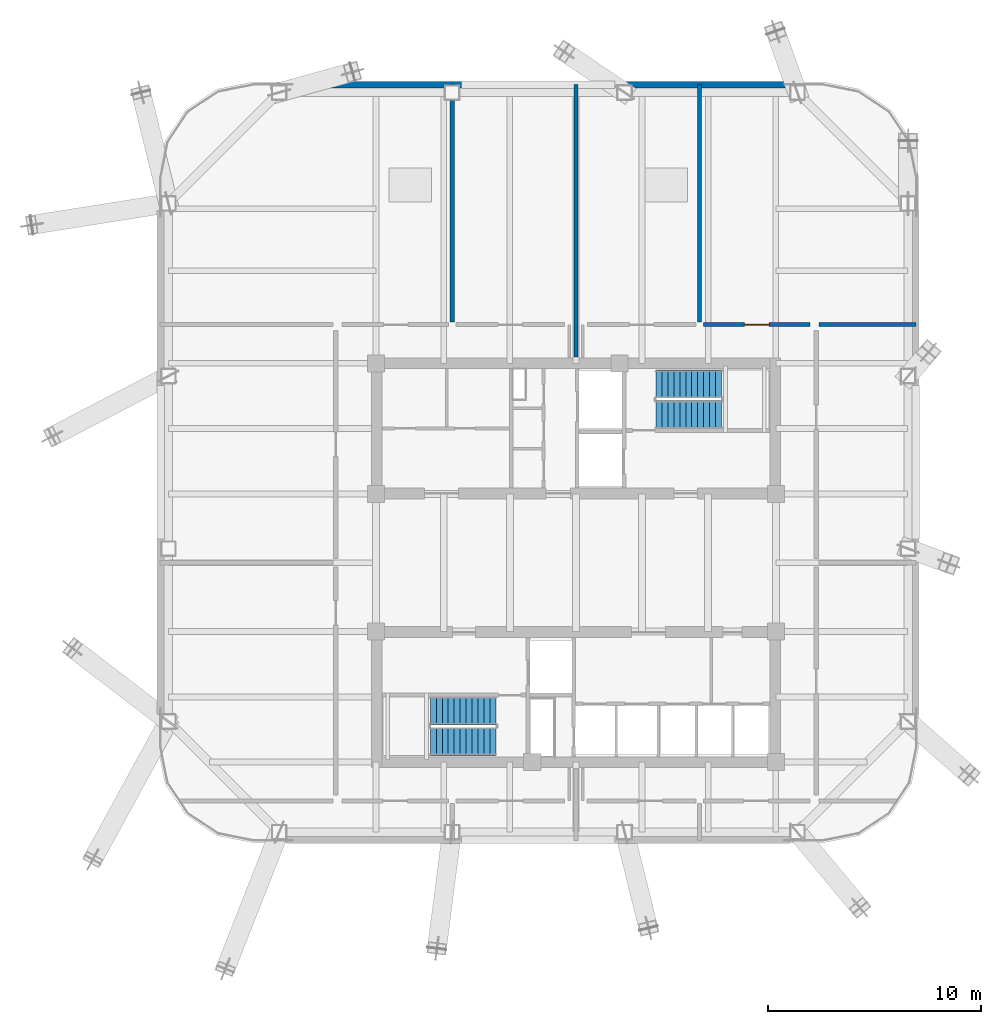
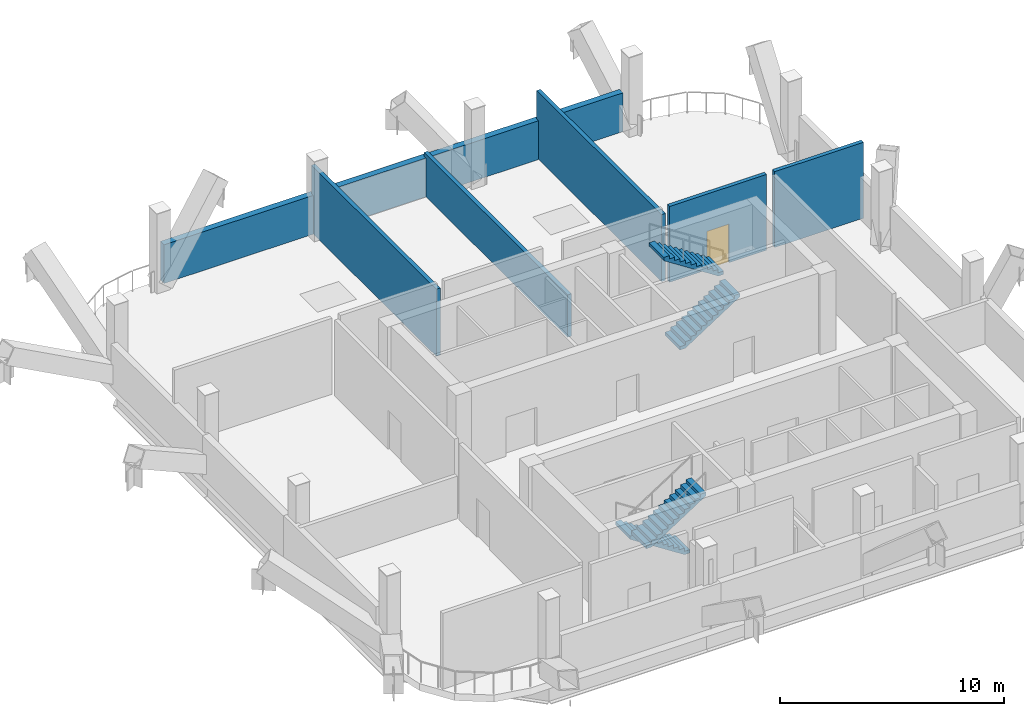
# One storey, part 5 of 8: 6 walls, 4 stair flights, 1 door, 1 opening, 2 elements without a shape of their own.
"""IFC4 building model written with IfcOpenShell, lengths in metres."""

import ifcopenshell
import ifcopenshell.guid

model = None  # the IFC model being written
_history = None  # IfcOwnerHistory: only IFC2X3 demands one
_inside = {}  # id of a spatial element -> (the spatial element, [elements in it])
_under = {}  # id of a project, library or spatial element -> (it, [spatial elements below it])
_declared = {}  # id of a project -> (the project, [libraries it declares])
_typed = {}  # id of a type object -> (the type object, [elements of that type])
_made_of = {}  # id of a material, layer set ... -> (it, [elements and type objects made of it])


def new_model(schema):
    """Start an empty IFC model of exactly this schema.

    Asked for "IFC4X3", IfcOpenShell would pick the latest addendum, in which some entities
    have other attributes; the version numbers below select the first issue.
    IFC2X3 requires an IfcOwnerHistory on every rooted entity: one is made here for all.
    """
    global model, _history
    if schema == "IFC4X3":
        model = ifcopenshell.file(schema_version=(4, 3, 0, 0))
    else:
        model = ifcopenshell.file(schema=schema)
    _inside.clear()
    _under.clear()
    _declared.clear()
    _typed.clear()
    _made_of.clear()
    _history = None
    if model.schema == "IFC2X3":
        org = make("IfcOrganization", Name="unknown")
        user = make(
            "IfcPersonAndOrganization",
            ThePerson=make("IfcPerson", FamilyName="unknown"),
            TheOrganization=org,
        )
        app = make(
            "IfcApplication",
            ApplicationDeveloper=org,
            Version="unknown",
            ApplicationFullName="unknown",
            ApplicationIdentifier="unknown",
        )
        _history = make(
            "IfcOwnerHistory",
            OwningUser=user,
            OwningApplication=app,
            ChangeAction="ADDED",
            CreationDate=0,
        )
    return model


def make(cls, **values):
    """One entity of the class cls with the attributes given. An attribute that is None is left unset."""
    return model.create_entity(
        cls, **{name: value for name, value in values.items() if value is not None}
    )


def rooted(cls, **values):
    """An entity with a GlobalId (a new one), such as an element, a storey or a relation."""
    return make(cls, GlobalId=ifcopenshell.guid.new(), OwnerHistory=_history, **values)


def si_unit(unit_type, name, prefix=None):
    """IfcSIUnit, for example si_unit("LENGTHUNIT", "METRE", prefix="MILLI")."""
    return make("IfcSIUnit", UnitType=unit_type, Prefix=prefix, Name=name)


def assignment(units):
    """IfcUnitAssignment: the units of a project."""
    return None if units is None else make("IfcUnitAssignment", Units=units)


def point(xyz):
    """IfcCartesianPoint."""
    return None if xyz is None else make("IfcCartesianPoint", Coordinates=xyz)


def direction(xyz):
    """IfcDirection."""
    return None if xyz is None else make("IfcDirection", DirectionRatios=xyz)


def frame(location, z_axis=None, x_axis=None):
    """IfcAxis2Placement3D, a coordinate frame: its origin and axes. An axis left out is left unset."""
    return make(
        "IfcAxis2Placement3D",
        Location=point(location),
        Axis=direction(z_axis),
        RefDirection=direction(x_axis),
    )


def frame_2d(location, x_axis=None):
    """IfcAxis2Placement2D, a coordinate frame in the plane: its origin and x axis."""
    return make(
        "IfcAxis2Placement2D", Location=point(location), RefDirection=direction(x_axis)
    )


def origin():
    """The frame at (0, 0, 0) with its axes left unset."""
    return frame((0.0, 0.0, 0.0))


def place(relative_to, where):
    """IfcLocalPlacement: puts the frame where relative to a parent placement (None: the world)."""
    return make(
        "IfcLocalPlacement", PlacementRelTo=relative_to, RelativePlacement=where
    )


def context(
    kind, dimensions, precision=None, world=None, true_north=None, identifier=None
):
    """IfcGeometricRepresentationContext, for example the 3D "Model" context."""
    return make(
        "IfcGeometricRepresentationContext",
        ContextIdentifier=identifier,
        ContextType=kind,
        CoordinateSpaceDimension=dimensions,
        Precision=precision,
        WorldCoordinateSystem=world,
        TrueNorth=true_north,
    )


def subcontext(parent, identifier, kind, view, scale=None):
    """IfcGeometricRepresentationSubContext, for example "Body" below "Model"."""
    return make(
        "IfcGeometricRepresentationSubContext",
        ContextIdentifier=identifier,
        ContextType=kind,
        ParentContext=parent,
        TargetScale=scale,
        TargetView=view,
    )


def project(units=None, contexts=None):
    """IfcProject with its units and contexts."""
    return rooted(
        "IfcProject",
        Name="project",
        RepresentationContexts=contexts,
        UnitsInContext=assignment(units),
    )


def spatial(cls, under=None, at=None, **own):
    """A site, building, storey or space (cls), placed at a placement, below another one or the project."""
    s = rooted(cls, ObjectPlacement=at, **own)
    if under is not None:
        _under.setdefault(under.id(), (under, []))[1].append(s)
    return s


def polyline(points):
    """IfcPolyline through the points."""
    return make("IfcPolyline", Points=[point(p) for p in points])


def profile(cls, at=None, kind="AREA", **sizes):
    """A parametric profile (cls). Its sizes go by their IFC names, for example OverallWidth=200.0."""
    return make(cls, ProfileType=kind, Position=at, **sizes)


def rectangle(**sizes):
    """IfcRectangleProfileDef."""
    return profile("IfcRectangleProfileDef", **sizes)


def outline(outer, holes=None, kind="AREA"):
    """IfcArbitraryClosedProfileDef: a profile drawn as a closed curve; with holes, ...WithVoids."""
    if holes is None:
        return make("IfcArbitraryClosedProfileDef", ProfileType=kind, OuterCurve=outer)
    return make(
        "IfcArbitraryProfileDefWithVoids",
        ProfileType=kind,
        OuterCurve=outer,
        InnerCurves=holes,
    )


def extrude(swept, where, along, depth):
    """IfcExtrudedAreaSolid: the profile swept, set in the frame where, extruded along a direction by depth."""
    return make(
        "IfcExtrudedAreaSolid",
        SweptArea=swept,
        Position=where,
        ExtrudedDirection=direction(along),
        Depth=depth,
    )


def shape(context_of_items, identifier, shape_type, items):
    """IfcShapeRepresentation: the items that make up one representation, for example the "Body"."""
    return make(
        "IfcShapeRepresentation",
        ContextOfItems=context_of_items,
        RepresentationIdentifier=identifier,
        RepresentationType=shape_type,
        Items=items,
    )


def material(Name=None, Category=None):
    """IfcMaterial."""
    return make("IfcMaterial", Name=Name, Category=Category)


def layer(
    of_material, thickness, ventilated=None, Name=None, Category=None, Priority=None
):
    """IfcMaterialLayer: one layer of a wall or slab, of a material (None: an air gap)."""
    return make(
        "IfcMaterialLayer",
        Material=of_material,
        LayerThickness=thickness,
        IsVentilated=ventilated,
        Name=Name,
        Category=Category,
        Priority=Priority,
    )


def layer_set(layers, Name=None):
    """IfcMaterialLayerSet."""
    return make("IfcMaterialLayerSet", MaterialLayers=layers, LayerSetName=Name)


def made_of(thing, what):
    """Note that an element or type object is made of a material, layer set ...; save() writes the relation."""
    if what is not None:
        _made_of.setdefault(what.id(), (what, []))[1].append(thing)
    return thing


def type_object(cls, material=None, **own):
    """A type object (cls), such as IfcWallType, which elements share."""
    return made_of(rooted(cls, **own), material)


def element(
    cls,
    number,
    at=None,
    inside=None,
    cuts=None,
    type_object=None,
    material=None,
    context=None,
    identifier="Body",
    shape_type=None,
    held_by="IfcProductDefinitionShape",
    body=None,
    shapes=None,
    **own,
):
    """One element of the class cls, such as IfcWall. Its Tag is "e" and its number.

    at: its placement. inside: the storey or other place that contains it. cuts: it is an
    opening in that element (IfcRelVoidsElement). A single representation is given by context,
    identifier, shape_type and body (its items); several are given by shapes. held_by: the class
    of the entity that holds the representations. save() writes the other relations.
    """
    e = rooted(cls, Tag="e%d" % number, ObjectPlacement=at, **own)
    if body is not None:
        shapes = [shape(context, identifier, shape_type, body)]
    if shapes is not None:
        e.Representation = make(held_by, Representations=shapes)
    if inside is not None:
        _inside.setdefault(inside.id(), (inside, []))[1].append(e)
    if cuts is not None:
        rooted(
            "IfcRelVoidsElement", RelatingBuildingElement=cuts, RelatedOpeningElement=e
        )
    if type_object is not None:
        _typed.setdefault(type_object.id(), (type_object, []))[1].append(e)
    return made_of(e, material)


def fill(opening, filler):
    """IfcRelFillsElement: the door or window that sits in an opening."""
    return rooted(
        "IfcRelFillsElement",
        RelatingOpeningElement=opening,
        RelatedBuildingElement=filler,
    )


def aggregate(whole, parts):
    """IfcRelAggregates: a whole, such as a stair, and the parts it consists of."""
    return rooted("IfcRelAggregates", RelatingObject=whole, RelatedObjects=parts)


def save(model, path):
    """Write the relations noted so far, then the file.

    IfcRelAggregates (storeys below a building ...), IfcRelContainedInSpatialStructure (elements
    in a storey), IfcRelDefinesByType, IfcRelAssociatesMaterial and IfcRelDeclares: one each for
    every whole, place, type object, material and project.
    """
    for whole, parts in _under.values():
        aggregate(whole, parts)
    for where, things in _inside.values():
        rooted(
            "IfcRelContainedInSpatialStructure",
            RelatedElements=things,
            RelatingStructure=where,
        )
    for kind, things in _typed.values():
        rooted("IfcRelDefinesByType", RelatedObjects=things, RelatingType=kind)
    for what, things in _made_of.values():
        rooted("IfcRelAssociatesMaterial", RelatedObjects=things, RelatingMaterial=what)
    for by, libraries in _declared.values():
        rooted("IfcRelDeclares", RelatingContext=by, RelatedDefinitions=libraries)
    model.write(path)


model = new_model("IFC4")

# Units and contexts
model_context = context("Model", 3, precision=1e-05, world=origin(), true_north=direction((0.0, 1.0)))
body_context = subcontext(model_context, "Body", "Model", "MODEL_VIEW")
ifc_project = project(units=[si_unit("LENGTHUNIT", "METRE"), si_unit("AREAUNIT", "SQUARE_METRE"), si_unit("VOLUMEUNIT", "CUBIC_METRE"), si_unit("PLANEANGLEUNIT", "RADIAN"), si_unit("MASSUNIT", "GRAM", prefix="KILO")], contexts=[model_context])

# Site, building, storey
site_placement = place(None, origin())
site = spatial("IfcSite", under=ifc_project, at=site_placement, CompositionType="ELEMENT")
building_placement = place(site_placement, origin())
building = spatial("IfcBuilding", under=site, at=building_placement, Name="Qhalaya Broadcast Tower", CompositionType="ELEMENT")
storey_placement = place(building_placement, frame((0.0, 0.0, 151.800048828125)))
storey = spatial("IfcBuildingStorey", under=building, at=storey_placement, Name="L44", CompositionType="ELEMENT", Elevation=151.800048828125)

# Walls
ifc_material_1 = material(Name="Gypsum Acoustic Partition")
ifc_layer_1 = layer(ifc_material_1, 0.199951171875, Name="Gypsum Acoustic Partition")
ifc_layer_set_1 = layer_set([ifc_layer_1], Name="Gypsum Acoustic Partition")
wall_type_1 = type_object("IfcWallType", Name="Firefighting Lobby & Stair Enclosure Wall 200", PredefinedType="PARTITIONING", material=ifc_layer_set_1)
wall_1_placement = place(storey_placement, frame((0.0, 10.239990234375, 0.0), z_axis=(0.0, 0.0, 1.0), x_axis=(0.0, 1.0, 0.0)))
element("IfcWall", 1, at=wall_1_placement, inside=storey, type_object=wall_type_1, Name="L44 Partition Wall W-OBN", PredefinedType="PARTITIONING", context=body_context, shape_type="SweptSolid", body=[
    extrude(rectangle(XDim=12.800048828125, YDim=0.199951171875, at=frame_2d((6.39990234375, 0.0))), origin(), (0.0, 0.0, 1.0), 2.31005859375),
])
for number, where, z_axis, x_axis, name in (
    (2, (-5.800048828125, 11.889892578125, 0.0), (0.0, 0.0, 1.0), (0.0, 1.0, 0.0), "L44 Partition Wall W-PDN1"),
    (3, (5.800048828125, 11.889892578125, 0.0), (0.0, 0.0, 1.0), (0.0, 1.0, 0.0), "L44 Partition Wall W-PDN3"),
):
    element("IfcWall", number, at=place(storey_placement, frame(where, z_axis=z_axis, x_axis=x_axis)), inside=storey, type_object=wall_type_1, Name=name, PredefinedType="PARTITIONING", context=body_context, shape_type="SweptSolid", body=[
        extrude(rectangle(XDim=11.150146484375, YDim=0.199951171875, at=frame_2d((5.5751953125, 0.0))), origin(), (0.0, 0.0, 1.0), 3.64697265625),
    ])

# Wall, opening, door
wall_2_placement = place(storey_placement, frame((10.969970703125, 11.77001953125, 0.0), z_axis=(0.0, 0.0, 1.0), x_axis=(-1.0, 0.0, 0.0)))
wall_2 = element("IfcWall", 4, at=wall_2_placement, inside=storey, type_object=wall_type_1, Name="L44 Partition Wall W-PCN3", PredefinedType="PARTITIONING", context=body_context, shape_type="SweptSolid", body=[
    extrude(rectangle(XDim=4.989990234375, YDim=0.199951171875, at=frame_2d((2.4951171875, 0.0))), origin(), (0.0, 0.0, 1.0), 4.1298828125),
])
opening_placement = place(wall_2_placement, frame((1.919921875, 0.0, 0.0)))
opening = element("IfcOpeningElement", 5, at=opening_placement, cuts=wall_2, Name="Opening D05", PredefinedType="OPENING", context=body_context, shape_type="SweptSolid", body=[
    extrude(rectangle(XDim=1.14990234375, YDim=2.10009765625, at=frame_2d((0.574951171875, 1.050048828125))), frame((0.0, 0.112060546875, 0.0), z_axis=(0.0, -1.0, 0.0), x_axis=(1.0, 0.0, 0.0)), (0.0, 0.0, 1.0), 0.223876953125),
])
ifc_material_2 = material(Name="Fire-Rated Steel Door", Category="steel")
door_type = type_object("IfcDoorType", Name="Refuge & Plant Room Fire Door D05", OperationType="NOTDEFINED", PredefinedType="DOOR", material=ifc_material_2)
door_placement = place(opening_placement, origin())
door = element("IfcDoor", 6, at=door_placement, inside=storey, type_object=door_type, Name="L44 Door D-PCN3", OperationType="SINGLE_SWING_LEFT", OverallHeight=2.10009765625, OverallWidth=1.14990234375, PredefinedType="DOOR", context=body_context, shape_type="SweptSolid", body=[
    extrude(rectangle(XDim=1.14990234375, YDim=2.10009765625, at=frame_2d((0.574951171875, 1.050048828125))), frame((0.0, 0.02490234375, 0.0), z_axis=(0.0, -1.0, 0.0), x_axis=(1.0, 0.0, 0.0)), (0.0, 0.0, 1.0), 0.050048828125),
])
fill(opening, door)

# Walls
wall_3_placement = place(storey_placement, frame((11.389892578125, 11.77001953125, 0.0), z_axis=(0.0, 0.0, 1.0), x_axis=(1.0, 0.0, 0.0)))
element("IfcWall", 7, at=wall_3_placement, inside=storey, type_object=wall_type_1, Name="L44 Partition Wall W-PBNE", PredefinedType="PARTITIONING", context=body_context, shape_type="SweptSolid", body=[
    extrude(rectangle(XDim=4.570068359375, YDim=0.199951171875, at=frame_2d((2.28515625, 0.0))), origin(), (0.0, 0.0, 1.0), 4.1298828125),
])
ifc_material_3 = material(Name="Precast Concrete C40/50", Category="concrete")
ifc_layer_2 = layer(ifc_material_3, 0.320068359375, Name="Precast Concrete C40/50")
ifc_layer_set_2 = layer_set([ifc_layer_2], Name="Precast Concrete C40/50")
wall_type_2 = type_object("IfcWallType", Name="Recessed Neck Insulated Exterior Wall 320", PredefinedType="SOLIDWALL", material=ifc_layer_set_2)
wall_4_placement = place(storey_placement, frame((-13.58203125, 23.02001953125, 0.0), z_axis=(0.0, 0.0, 1.0), x_axis=(1.0, 0.0, 0.0)))
element("IfcWall", 8, at=wall_4_placement, inside=storey, type_object=wall_type_2, Name="L44 Exterior Facade Wall N", PredefinedType="SOLIDWALL", context=body_context, shape_type="SweptSolid", body=[
    extrude(rectangle(XDim=23.6240234375, YDim=0.320068359375, at=frame_2d((11.81201171875, 0.0))), origin(), (0.0, 0.0, 1.0), 2.10986328125),
])

# Stair, stair flights
ifc_material_4 = material(Name="Concrete C40/50", Category="concrete")
stair_type = type_object("IfcStairType", Name="Protected Dogleg Core Stair 4200", PredefinedType="TWO_STRAIGHT_RUN_STAIR", material=ifc_material_4)
stair_1_placement = place(storey_placement, origin())
stair_1 = element("IfcStair", 9, at=stair_1_placement, inside=storey, type_object=stair_type, Name="L44 North Core Exit Stair ST-1", PredefinedType="TWO_STRAIGHT_RUN_STAIR")
stair_flight_type = type_object("IfcStairFlightType", Name="Precast Concrete Stair Flight 4200", PredefinedType="STRAIGHT", material=ifc_material_3)
stair_flight_1_placement = place(storey_placement, frame((3.75, 7.5400390625, 0.0), z_axis=(0.0, 0.0, 1.0), x_axis=(1.0, 0.0, 0.0)))
stair_flight_1 = element("IfcStairFlight", 10, at=stair_flight_1_placement, type_object=stair_flight_type, Name="ST-1 flight 1", NumberOfRisers=12, NumberOfTreads=11, PredefinedType="STRAIGHT", RiserHeight=0.18125, TreadLength=0.28, context=body_context, shape_type="SweptSolid", body=[
    extrude(outline(polyline([(0.0, 0.0), (0.0, 0.18115234375), (0.280029296875, 0.18115234375), (0.280029296875, 0.362548828125), (0.56005859375, 0.362548828125), (0.56005859375, 0.543701171875), (0.840087890625, 0.543701171875), (0.840087890625, 0.72509765625), (1.1201171875, 0.72509765625), (1.1201171875, 0.90625), (1.39990234375, 0.90625), (1.39990234375, 1.08740234375), (1.679931640625, 1.08740234375), (1.679931640625, 1.268798828125), (1.9599609375, 1.268798828125), (1.9599609375, 1.449951171875), (2.239990234375, 1.449951171875), (2.239990234375, 1.63134765625), (2.52001953125, 1.63134765625), (2.52001953125, 1.8125), (2.800048828125, 1.8125), (2.800048828125, 1.99365234375), (3.080078125, 1.99365234375), (3.080078125, 2.175048828125), (3.080078125, 1.815185546875), (0.27587890625, 0.0), (0.0, 0.0)])), frame((0.0, 0.66015625, 0.0), z_axis=(0.0, -1.0, 0.0), x_axis=(1.0, 0.0, 0.0)), (0.0, 0.0, 1.0), 1.320068359375),
])
stair_flight_2_placement = place(storey_placement, frame((6.830078125, 8.97998046875, 2.175048828125), z_axis=(0.0, 0.0, 1.0), x_axis=(-1.0, 0.0, 0.0)))
stair_flight_2 = element("IfcStairFlight", 11, at=stair_flight_2_placement, type_object=stair_flight_type, Name="ST-1 flight 2", NumberOfRisers=12, NumberOfTreads=11, PredefinedType="STRAIGHT", RiserHeight=0.18125, TreadLength=0.28, context=body_context, shape_type="SweptSolid", body=[
    extrude(outline(polyline([(0.0, 0.0), (0.0, 0.18115234375), (0.280029296875, 0.18115234375), (0.280029296875, 0.362548828125), (0.56005859375, 0.362548828125), (0.56005859375, 0.543701171875), (0.840087890625, 0.543701171875), (0.840087890625, 0.72509765625), (1.1201171875, 0.72509765625), (1.1201171875, 0.90625), (1.39990234375, 0.90625), (1.39990234375, 1.08740234375), (1.679931640625, 1.08740234375), (1.679931640625, 1.268798828125), (1.9599609375, 1.268798828125), (1.9599609375, 1.449951171875), (2.239990234375, 1.449951171875), (2.239990234375, 1.63134765625), (2.52001953125, 1.63134765625), (2.52001953125, 1.8125), (2.800048828125, 1.8125), (2.800048828125, 1.99365234375), (3.080078125, 1.99365234375), (3.080078125, 2.175048828125), (3.080078125, 1.815185546875), (0.27587890625, 0.0), (0.0, 0.0)])), frame((0.0, 0.66015625, 0.0), z_axis=(0.0, -1.0, 0.0), x_axis=(1.0, 0.0, 0.0)), (0.0, 0.0, 1.0), 1.320068359375),
])
aggregate(stair_1, [stair_flight_1, stair_flight_2])

stair_2_placement = place(storey_placement, origin())
stair_2 = element("IfcStair", 12, at=stair_2_placement, inside=storey, type_object=stair_type, Name="L44 South Core Exit Stair ST-2", PredefinedType="TWO_STRAIGHT_RUN_STAIR")
stair_flight_3_placement = place(storey_placement, frame((-3.75, -6.340087890625, 0.0), z_axis=(0.0, 0.0, 1.0), x_axis=(-1.0, 0.0, 0.0)))
stair_flight_3 = element("IfcStairFlight", 13, at=stair_flight_3_placement, type_object=stair_flight_type, Name="ST-2 flight 1", NumberOfRisers=12, NumberOfTreads=11, PredefinedType="STRAIGHT", RiserHeight=0.18125, TreadLength=0.28, context=body_context, shape_type="SweptSolid", body=[
    extrude(outline(polyline([(0.0, 0.0), (0.0, 0.18115234375), (0.280029296875, 0.18115234375), (0.280029296875, 0.362548828125), (0.56005859375, 0.362548828125), (0.56005859375, 0.543701171875), (0.840087890625, 0.543701171875), (0.840087890625, 0.72509765625), (1.1201171875, 0.72509765625), (1.1201171875, 0.90625), (1.39990234375, 0.90625), (1.39990234375, 1.08740234375), (1.679931640625, 1.08740234375), (1.679931640625, 1.268798828125), (1.9599609375, 1.268798828125), (1.9599609375, 1.449951171875), (2.239990234375, 1.449951171875), (2.239990234375, 1.63134765625), (2.52001953125, 1.63134765625), (2.52001953125, 1.8125), (2.800048828125, 1.8125), (2.800048828125, 1.99365234375), (3.080078125, 1.99365234375), (3.080078125, 2.175048828125), (3.080078125, 1.815185546875), (0.27587890625, 0.0), (0.0, 0.0)])), frame((0.0, 0.66015625, 0.0), z_axis=(0.0, -1.0, 0.0), x_axis=(1.0, 0.0, 0.0)), (0.0, 0.0, 1.0), 1.320068359375),
])
stair_flight_4_placement = place(storey_placement, frame((-6.830078125, -7.780029296875, 2.175048828125), z_axis=(0.0, 0.0, 1.0), x_axis=(1.0, 0.0, 0.0)))
stair_flight_4 = element("IfcStairFlight", 14, at=stair_flight_4_placement, type_object=stair_flight_type, Name="ST-2 flight 2", NumberOfRisers=12, NumberOfTreads=11, PredefinedType="STRAIGHT", RiserHeight=0.18125, TreadLength=0.28, context=body_context, shape_type="SweptSolid", body=[
    extrude(outline(polyline([(0.0, 0.0), (0.0, 0.18115234375), (0.280029296875, 0.18115234375), (0.280029296875, 0.362548828125), (0.56005859375, 0.362548828125), (0.56005859375, 0.543701171875), (0.840087890625, 0.543701171875), (0.840087890625, 0.72509765625), (1.1201171875, 0.72509765625), (1.1201171875, 0.90625), (1.39990234375, 0.90625), (1.39990234375, 1.08740234375), (1.679931640625, 1.08740234375), (1.679931640625, 1.268798828125), (1.9599609375, 1.268798828125), (1.9599609375, 1.449951171875), (2.239990234375, 1.449951171875), (2.239990234375, 1.63134765625), (2.52001953125, 1.63134765625), (2.52001953125, 1.8125), (2.800048828125, 1.8125), (2.800048828125, 1.99365234375), (3.080078125, 1.99365234375), (3.080078125, 2.175048828125), (3.080078125, 1.815185546875), (0.27587890625, 0.0), (0.0, 0.0)])), frame((0.0, 0.66015625, 0.0), z_axis=(0.0, -1.0, 0.0), x_axis=(1.0, 0.0, 0.0)), (0.0, 0.0, 1.0), 1.320068359375),
])
aggregate(stair_2, [stair_flight_3, stair_flight_4])

save(model, "model.ifc")
